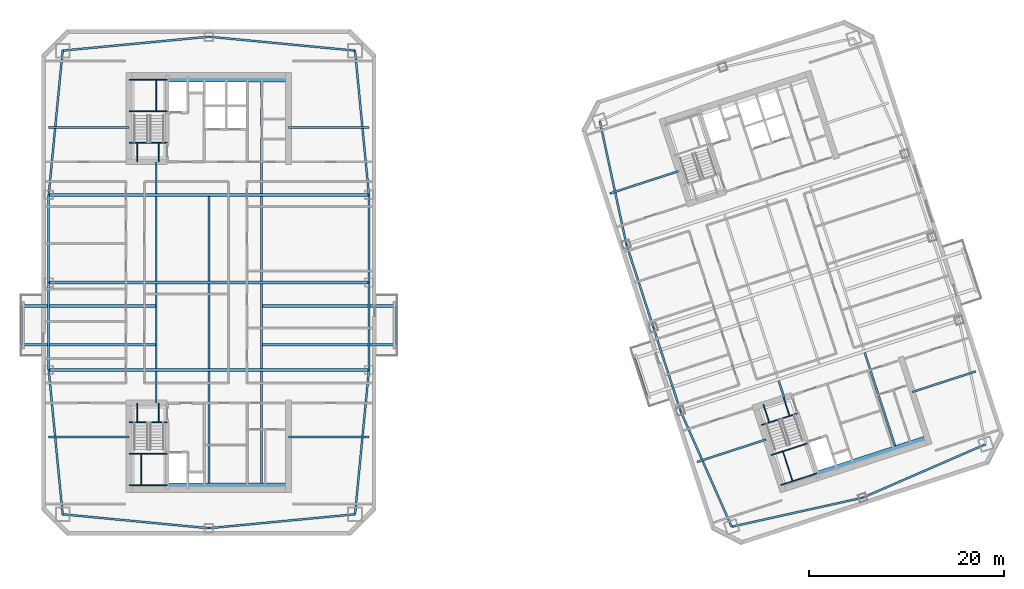
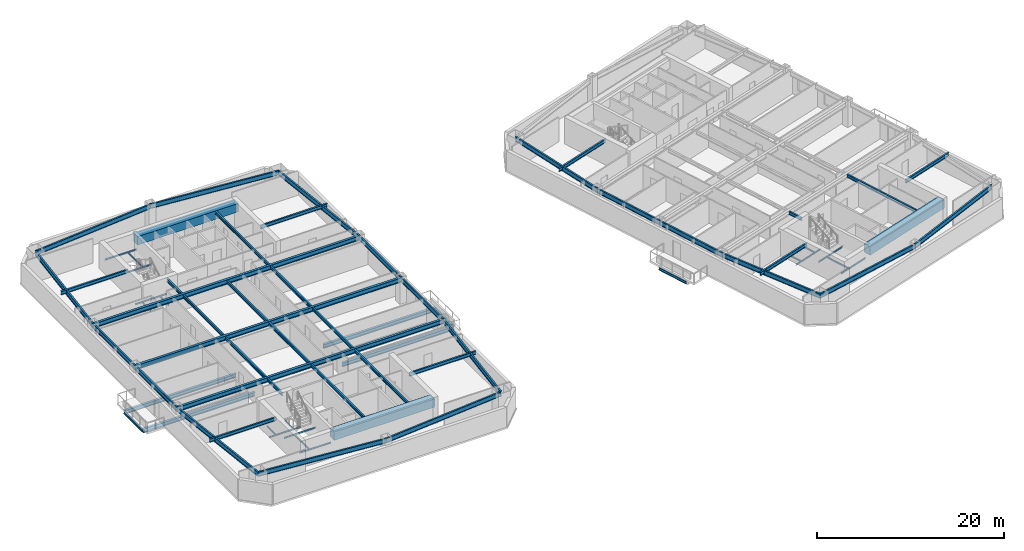
# One storey, part 3 of 15: 69 beams.
"""IFC4 building model written with IfcOpenShell, lengths in metres."""

from ifc_helpers import new_model, si_unit, direction, frame, origin, origin_2d, place, context, subcontext, project, spatial, rectangle, i_section, extrude, material, material_profile, profile_set, type_object, element, save


model = new_model("IFC4")

# Units and contexts
model_context = context("Model", 3, precision=1e-05, world=origin(), true_north=direction((0.0, 1.0)))
body_context = subcontext(model_context, "Body", "Model", "MODEL_VIEW")
ifc_project = project(units=[si_unit("LENGTHUNIT", "METRE"), si_unit("AREAUNIT", "SQUARE_METRE"), si_unit("VOLUMEUNIT", "CUBIC_METRE"), si_unit("PLANEANGLEUNIT", "RADIAN"), si_unit("MASSUNIT", "GRAM", prefix="KILO")], contexts=[model_context])

# Site, building, storey
site_placement = place(None, origin())
site = spatial("IfcSite", under=ifc_project, at=site_placement, CompositionType="ELEMENT")
building_placement = place(site_placement, origin())
building = spatial("IfcBuilding", under=site, at=building_placement, Name="Qiaolan Cultural Towers", CompositionType="ELEMENT")
storey_placement = place(building_placement, frame((0.0, 0.0, 166.75)))
storey = spatial("IfcBuildingStorey", under=building, at=storey_placement, Name="L44", CompositionType="ELEMENT", Elevation=166.75)

# Beams
ifc_material_1 = material(Name="Steel Q355B", Category="steel")
ifc_material_profile_1 = material_profile(ifc_material_1, i_section(OverallWidth=0.300048828125, OverallDepth=0.488037109375, WebThickness=0.010986328125, FlangeThickness=0.01806640625, at=origin_2d()), Name="HM488x300x11x18")
ifc_profile_set_1 = profile_set([ifc_material_profile_1], Name="Steel Q355B")
beam_type_1 = type_object("IfcBeamType", Name="BM-HM488x300x11x18", PredefinedType="BEAM", material=ifc_profile_set_1)
for number, where, z_axis, x_axis, name in (
    (1, (24.60009765625, 27.60009765625, -0.52392578125), (-1.0, 0.0, 0.0), (0.0, -1.0, 0.0), "L44 T1 Tree Balcony Back-Spanned Bracket Beam"),
    (2, (24.60009765625, 31.60009765625, -0.52392578125), (-1.0, 0.0, 0.0), (0.0, -1.0, 0.0), "L44 T1 Tree Balcony Back-Spanned Bracket Beam"),
    (3, (35.39990234375, 27.60009765625, -0.52392578125), (1.0, 0.0, 0.0), (0.0, 1.0, 0.0), "L44 T1 Tree Balcony Back-Spanned Bracket Beam"),
    (4, (35.39990234375, 31.60009765625, -0.52392578125), (1.0, 0.0, 0.0), (0.0, 1.0, 0.0), "L44 T1 Tree Balcony Back-Spanned Bracket Beam"),
):
    element("IfcBeam", number, at=place(storey_placement, frame(where, z_axis=z_axis, x_axis=x_axis)), inside=storey, type_object=beam_type_1, Name=name, PredefinedType="BEAM", context=body_context, shape_type="SweptSolid", body=[
        extrude(i_section(OverallWidth=0.300048828125, OverallDepth=0.488037109375, WebThickness=0.010986328125, FlangeThickness=0.01806640625, at=origin_2d()), origin(), (0.0, 0.0, 1.0), 13.85009765625),
    ])
ifc_material_2 = material(Name="Steel Q355B", Category="steel")
ifc_material_profile_2 = material_profile(ifc_material_2, i_section(OverallWidth=0.300048828125, OverallDepth=0.587890625, WebThickness=0.011962890625, FlangeThickness=0.02001953125, at=origin_2d()), Name="HM588x300x12x20")
ifc_profile_set_2 = profile_set([ifc_material_profile_2], Name="Steel Q355B")
beam_type_2 = type_object("IfcBeamType", Name="BM-HM588x300x12x20", PredefinedType="BEAM", material=ifc_profile_set_2)
for number, where, z_axis, x_axis, name in (
    (5, (13.550048828125, 25.0, 2.89599609375), (1.0, 0.0, 0.0), (0.0, 1.0, 0.0), "L44 T1 Primary Transverse Girder V1"),
    (6, (13.550048828125, 34.0, 2.89599609375), (1.0, 0.0, 0.0), (0.0, 1.0, 0.0), "L44 T1 Primary Transverse Girder V2"),
    (7, (13.550048828125, 43.0, 2.89599609375), (1.0, 0.0, 0.0), (0.0, 1.0, 0.0), "L44 T1 Primary Transverse Girder V3"),
):
    element("IfcBeam", number, at=place(storey_placement, frame(where, z_axis=z_axis, x_axis=x_axis)), inside=storey, type_object=beam_type_2, Name=name, PredefinedType="BEAM", context=body_context, shape_type="SweptSolid", body=[
        extrude(i_section(OverallWidth=0.300048828125, OverallDepth=0.587890625, WebThickness=0.011962890625, FlangeThickness=0.02001953125, at=origin_2d()), origin(), (0.0, 0.0, 1.0), 32.89990234375),
    ])
ifc_material_3 = material(Name="Steel Q355B", Category="steel")
ifc_material_profile_3 = material_profile(ifc_material_3, i_section(OverallWidth=0.175048828125, OverallDepth=0.35009765625, WebThickness=0.007080078125, FlangeThickness=0.010986328125, at=origin_2d()), Name="HN350x175x7x11")
ifc_profile_set_3 = profile_set([ifc_material_profile_3], Name="Steel Q355B")
beam_type_3 = type_object("IfcBeamType", Name="BM-JST-HN350x175x7x11", PredefinedType="JOIST", material=ifc_profile_set_3)
for number, where, z_axis, x_axis, name in (
    (8, (10.75, 27.60009765625, -0.52392578125), (0.0, 1.0, 0.0), (-1.0, 0.0, 0.0), "L44 T1 Tree Balcony Outer Edge Beam"),
    (9, (49.25, 27.60009765625, -0.52392578125), (0.0, 1.0, 0.0), (-1.0, 0.0, 0.0), "L44 T1 Tree Balcony Outer Edge Beam"),
    (10, (75.00146484375, 22.397216796875, -0.52392578125), (-0.309022586479, 0.951054699292, 0.0), (-0.951054699292, -0.309022586479, 0.0), "L44 T2 Tree Balcony Outer Edge Beam"),
):
    element("IfcBeam", number, at=place(storey_placement, frame(where, z_axis=z_axis, x_axis=x_axis)), inside=storey, type_object=beam_type_3, Name=name, PredefinedType="JOIST", context=body_context, shape_type="SweptSolid", body=[
        extrude(i_section(OverallWidth=0.175048828125, OverallDepth=0.35009765625, WebThickness=0.007080078125, FlangeThickness=0.010986328125, at=origin_2d()), origin(), (0.0, 0.0, 1.0), 4.0),
    ])
ifc_material_4 = material(Name="Steel Q355B", Category="steel")
ifc_material_profile_4 = material_profile(ifc_material_4, i_section(OverallWidth=0.199951171875, OverallDepth=0.39990234375, WebThickness=0.008056640625, FlangeThickness=0.012939453125, at=origin_2d()), Name="HN400x200x8x13")
ifc_profile_set_4 = profile_set([ifc_material_profile_4], Name="Steel Q355B")
beam_type_4 = type_object("IfcBeamType", Name="BM-JST-HN400x200x8x13", PredefinedType="JOIST", material=ifc_profile_set_4)
beam_1_placement = place(storey_placement, frame((24.60009765625, 21.60009765625, 2.989990234375), z_axis=(0.0, 1.0, 0.0), x_axis=(-1.0, 0.0, 0.0)))
element("IfcBeam", 11, at=beam_1_placement, inside=storey, type_object=beam_type_4, Name="L44 T1 Secondary Floor Joist U1-1", PredefinedType="JOIST", context=body_context, shape_type="SweptSolid", body=[
    extrude(i_section(OverallWidth=0.199951171875, OverallDepth=0.39990234375, WebThickness=0.008056640625, FlangeThickness=0.012939453125, at=origin_2d()), origin(), (0.0, 0.0, 1.0), 3.25),
])
for number, where, z_axis, x_axis, name in (
    (12, (24.60009765625, 25.14990234375, 2.989990234375), (0.0, 1.0, 0.0), (-1.0, 0.0, 0.0), "L44 T1 Secondary Floor Joist U1-2"),
    (13, (24.60009765625, 34.14990234375, 2.989990234375), (0.0, 1.0, 0.0), (-1.0, 0.0, 0.0), "L44 T1 Secondary Floor Joist U1-3"),
):
    element("IfcBeam", number, at=place(storey_placement, frame(where, z_axis=z_axis, x_axis=x_axis)), inside=storey, type_object=beam_type_4, Name=name, PredefinedType="JOIST", context=body_context, shape_type="SweptSolid", body=[
        extrude(i_section(OverallWidth=0.199951171875, OverallDepth=0.39990234375, WebThickness=0.008056640625, FlangeThickness=0.012939453125, at=origin_2d()), origin(), (0.0, 0.0, 1.0), 8.7001953125),
    ])
beam_2_placement = place(storey_placement, frame((24.60009765625, 43.14990234375, 2.989990234375), z_axis=(0.0, 1.0, 0.0), x_axis=(-1.0, 0.0, 0.0)))
element("IfcBeam", 14, at=beam_2_placement, inside=storey, type_object=beam_type_4, Name="L44 T1 Secondary Floor Joist U1-4", PredefinedType="JOIST", context=body_context, shape_type="SweptSolid", body=[
    extrude(i_section(OverallWidth=0.199951171875, OverallDepth=0.39990234375, WebThickness=0.008056640625, FlangeThickness=0.012939453125, at=origin_2d()), origin(), (0.0, 0.0, 1.0), 3.25),
])
beam_3_placement = place(storey_placement, frame((30.0, 13.39990234375, 2.989990234375), z_axis=(0.0, 1.0, 0.0), x_axis=(-1.0, 0.0, 0.0)))
element("IfcBeam", 15, at=beam_3_placement, inside=storey, type_object=beam_type_4, Name="L44 T1 Secondary Floor Joist U2-1", PredefinedType="JOIST", context=body_context, shape_type="SweptSolid", body=[
    extrude(i_section(OverallWidth=0.199951171875, OverallDepth=0.39990234375, WebThickness=0.008056640625, FlangeThickness=0.012939453125, at=origin_2d()), origin(), (0.0, 0.0, 1.0), 11.4501953125),
])
for number, where, z_axis, x_axis, name in (
    (16, (30.0, 25.14990234375, 2.989990234375), (0.0, 1.0, 0.0), (-1.0, 0.0, 0.0), "L44 T1 Secondary Floor Joist U2-2"),
    (17, (30.0, 34.14990234375, 2.989990234375), (0.0, 1.0, 0.0), (-1.0, 0.0, 0.0), "L44 T1 Secondary Floor Joist U2-3"),
):
    element("IfcBeam", number, at=place(storey_placement, frame(where, z_axis=z_axis, x_axis=x_axis)), inside=storey, type_object=beam_type_4, Name=name, PredefinedType="JOIST", context=body_context, shape_type="SweptSolid", body=[
        extrude(i_section(OverallWidth=0.199951171875, OverallDepth=0.39990234375, WebThickness=0.008056640625, FlangeThickness=0.012939453125, at=origin_2d()), origin(), (0.0, 0.0, 1.0), 8.7001953125),
    ])
beam_4_placement = place(storey_placement, frame((35.39990234375, 13.39990234375, 2.989990234375), z_axis=(0.0, 1.0, 0.0), x_axis=(-1.0, 0.0, 0.0)))
element("IfcBeam", 18, at=beam_4_placement, inside=storey, type_object=beam_type_4, Name="L44 T1 Secondary Floor Joist U3-1", PredefinedType="JOIST", context=body_context, shape_type="SweptSolid", body=[
    extrude(i_section(OverallWidth=0.199951171875, OverallDepth=0.39990234375, WebThickness=0.008056640625, FlangeThickness=0.012939453125, at=origin_2d()), origin(), (0.0, 0.0, 1.0), 11.4501953125),
])
for number, where, z_axis, x_axis, name in (
    (19, (35.39990234375, 25.14990234375, 2.989990234375), (0.0, 1.0, 0.0), (-1.0, 0.0, 0.0), "L44 T1 Secondary Floor Joist U3-2"),
    (20, (35.39990234375, 34.14990234375, 2.989990234375), (0.0, 1.0, 0.0), (-1.0, 0.0, 0.0), "L44 T1 Secondary Floor Joist U3-3"),
):
    element("IfcBeam", number, at=place(storey_placement, frame(where, z_axis=z_axis, x_axis=x_axis)), inside=storey, type_object=beam_type_4, Name=name, PredefinedType="JOIST", context=body_context, shape_type="SweptSolid", body=[
        extrude(i_section(OverallWidth=0.199951171875, OverallDepth=0.39990234375, WebThickness=0.008056640625, FlangeThickness=0.012939453125, at=origin_2d()), origin(), (0.0, 0.0, 1.0), 8.7001953125),
    ])
beam_5_placement = place(storey_placement, frame((35.39990234375, 43.14990234375, 2.989990234375), z_axis=(0.0, 1.0, 0.0), x_axis=(-1.0, 0.0, 0.0)))
element("IfcBeam", 21, at=beam_5_placement, inside=storey, type_object=beam_type_4, Name="L44 T1 Secondary Floor Joist U3-4", PredefinedType="JOIST", context=body_context, shape_type="SweptSolid", body=[
    extrude(i_section(OverallWidth=0.199951171875, OverallDepth=0.39990234375, WebThickness=0.008056640625, FlangeThickness=0.012939453125, at=origin_2d()), origin(), (0.0, 0.0, 1.0), 11.4501953125),
])
beam_6_placement = place(storey_placement, frame((89.119384765625, 22.147705078125, 2.989990234375), z_axis=(-0.308933885266, 0.951083516067, 0.0), x_axis=(-0.951083516067, -0.308933885266, 0.0)))
element("IfcBeam", 22, at=beam_6_placement, inside=storey, type_object=beam_type_4, Name="L44 T2 Secondary Floor Joist U1-1", PredefinedType="JOIST", context=body_context, shape_type="SweptSolid", body=[
    extrude(i_section(OverallWidth=0.199951171875, OverallDepth=0.39990234375, WebThickness=0.008056640625, FlangeThickness=0.012939453125, at=origin_2d()), origin(), (0.0, 0.0, 1.0), 1.85009765625),
])
beam_7_placement = place(storey_placement, frame((100.498291015625, 17.222900390625, 2.989990234375), z_axis=(-0.309025649293, 0.951053704098, 0.0), x_axis=(-0.951053704098, -0.309025649293, 0.0)))
element("IfcBeam", 23, at=beam_7_placement, inside=storey, type_object=beam_type_4, Name="L44 T2 Secondary Floor Joist U3-1", PredefinedType="JOIST", context=body_context, shape_type="SweptSolid", body=[
    extrude(i_section(OverallWidth=0.199951171875, OverallDepth=0.39990234375, WebThickness=0.008056640625, FlangeThickness=0.012939453125, at=origin_2d()), origin(), (0.0, 0.0, 1.0), 10.050048828125),
])
ifc_material_5 = material(Name="Steel Q355B", Category="steel")
ifc_material_profile_5 = material_profile(ifc_material_5, i_section(OverallWidth=0.199951171875, OverallDepth=0.449951171875, WebThickness=0.009033203125, FlangeThickness=0.013916015625, at=origin_2d()), Name="HN450x200x9x14")
ifc_profile_set_5 = profile_set([ifc_material_profile_5], Name="Steel Q355B")
beam_type_5 = type_object("IfcBeamType", Name="BM-LNT-HN450x200x9x14", PredefinedType="LINTEL", material=ifc_profile_set_5)
for number, where, z_axis, x_axis, name in (
    (24, (21.800048828125, 18.10009765625, 2.965087890625), (-1.0, 0.0, 0.0), (0.0, -1.0, 0.0), "L44 T1 Core Flank Tie Lintel WS"),
    (25, (21.800048828125, 49.89990234375, 2.965087890625), (-1.0, 0.0, 0.0), (0.0, -1.0, 0.0), "L44 T1 Core Flank Tie Lintel WN"),
    (26, (38.199951171875, 18.10009765625, 2.965087890625), (1.0, 0.0, 0.0), (0.0, 1.0, 0.0), "L44 T1 Core Flank Tie Lintel ES"),
    (27, (38.199951171875, 49.89990234375, 2.965087890625), (1.0, 0.0, 0.0), (0.0, 1.0, 0.0), "L44 T1 Core Flank Tie Lintel EN"),
):
    element("IfcBeam", number, at=place(storey_placement, frame(where, z_axis=z_axis, x_axis=x_axis)), inside=storey, type_object=beam_type_5, Name=name, PredefinedType="LINTEL", context=body_context, shape_type="SweptSolid", body=[
        extrude(i_section(OverallWidth=0.199951171875, OverallDepth=0.449951171875, WebThickness=0.009033203125, FlangeThickness=0.013916015625, at=origin_2d()), origin(), (0.0, 0.0, 1.0), 8.25),
    ])
beam_8_placement = place(storey_placement, frame((87.252685546875, 17.861083984375, 2.965087890625), z_axis=(-0.951064407856, -0.308992705592, 0.0), x_axis=(0.308992705592, -0.951064407856, 0.0)))
element("IfcBeam", 28, at=beam_8_placement, inside=storey, type_object=beam_type_5, Name="L44 T2 Core Flank Tie Lintel WS", PredefinedType="LINTEL", context=body_context, shape_type="SweptSolid", body=[
    extrude(i_section(OverallWidth=0.199951171875, OverallDepth=0.449951171875, WebThickness=0.009033203125, FlangeThickness=0.013916015625, at=origin_2d()), origin(), (0.0, 0.0, 1.0), 7.449951171875),
])
beam_9_placement = place(storey_placement, frame((78.291259765625, 45.44189453125, 2.965087890625), z_axis=(-0.951054777171, -0.309022346796, 0.0), x_axis=(0.309022346796, -0.951054777171, 0.0)))
element("IfcBeam", 29, at=beam_9_placement, inside=storey, type_object=beam_type_5, Name="L44 T2 Core Flank Tie Lintel WN", PredefinedType="LINTEL", context=body_context, shape_type="SweptSolid", body=[
    extrude(i_section(OverallWidth=0.199951171875, OverallDepth=0.449951171875, WebThickness=0.009033203125, FlangeThickness=0.013916015625, at=origin_2d()), origin(), (0.0, 0.0, 1.0), 7.4501953125),
])
beam_10_placement = place(storey_placement, frame((102.279296875, 22.74365234375, 2.965087890625), z_axis=(0.951061565824, 0.30900145309, 0.0), x_axis=(-0.30900145309, 0.951061565824, 0.0)))
element("IfcBeam", 30, at=beam_10_placement, inside=storey, type_object=beam_type_5, Name="L44 T2 Core Flank Tie Lintel ES", PredefinedType="LINTEL", context=body_context, shape_type="SweptSolid", body=[
    extrude(i_section(OverallWidth=0.199951171875, OverallDepth=0.449951171875, WebThickness=0.009033203125, FlangeThickness=0.013916015625, at=origin_2d()), origin(), (0.0, 0.0, 1.0), 6.85009765625),
])
ifc_material_6 = material(Name="Concrete C50", Category="concrete")
ifc_material_profile_6 = material_profile(ifc_material_6, rectangle(XDim=0.89990234375, YDim=1.10009765625, at=origin_2d()), Name="RC900x1100")
ifc_profile_set_6 = profile_set([ifc_material_profile_6], Name="Concrete C50")
beam_type_6 = type_object("IfcBeamType", Name="BM-RC900x1100", PredefinedType="BEAM", material=ifc_profile_set_6)
for number, where, z_axis, x_axis, name in (
    (31, (25.719970703125, 12.949951171875, 2.639892578125), (1.0, 0.0, 0.0), (0.0, 1.0, 0.0), "L44 T1 Core Header Girder S"),
    (32, (25.719970703125, 55.050048828125, 2.639892578125), (1.0, 0.0, 0.0), (0.0, 1.0, 0.0), "L44 T1 Core Header Girder N"),
):
    element("IfcBeam", number, at=place(storey_placement, frame(where, z_axis=z_axis, x_axis=x_axis)), inside=storey, type_object=beam_type_6, Name=name, PredefinedType="BEAM", context=body_context, shape_type="SweptSolid", body=[
        extrude(rectangle(XDim=0.89990234375, YDim=1.10009765625, at=origin_2d()), origin(), (0.0, 0.0, 1.0), 12.47998046875),
    ])
beam_11_placement = place(storey_placement, frame((92.572265625, 14.174560546875, 2.639892578125), z_axis=(0.951056266386, 0.309017763514, 0.0), x_axis=(-0.309017763514, 0.951056266386, 0.0)))
element("IfcBeam", 33, at=beam_11_placement, inside=storey, type_object=beam_type_6, Name="L44 T2 Core Header Girder S", PredefinedType="BEAM", context=body_context, shape_type="SweptSolid", body=[
    extrude(rectangle(XDim=0.89990234375, YDim=1.10009765625, at=origin_2d()), origin(), (0.0, 0.0, 1.0), 11.880126953125),
])
ifc_material_7 = material(Name="Steel Q355B", Category="steel")
ifc_material_profile_7 = material_profile(ifc_material_7, i_section(OverallWidth=0.199951171875, OverallDepth=0.60009765625, WebThickness=0.010986328125, FlangeThickness=0.01708984375, at=origin_2d()), Name="HN600x200x11x17")
ifc_profile_set_7 = profile_set([ifc_material_profile_7], Name="Steel Q355B")
beam_type_7 = type_object("IfcBeamType", Name="BM-SPD-HN600x200x11x17", PredefinedType="SPANDREL", material=ifc_profile_set_7)
for number, where, z_axis, x_axis, name in (
    (34, (14.97998046875, 10.179931640625, 2.889892578125), (0.995498889995, -0.094773203061, 0.0), (0.094773203061, 0.995498889995, 0.0), "L44 T1 Perimeter Spandrel Beam 1"),
    (35, (30.0, 8.75, 2.889892578125), (0.995498889995, 0.094773203061, 0.0), (-0.094773203061, 0.995498889995, 0.0), "L44 T1 Perimeter Spandrel Beam 2"),
):
    element("IfcBeam", number, at=place(storey_placement, frame(where, z_axis=z_axis, x_axis=x_axis)), inside=storey, type_object=beam_type_7, Name=name, PredefinedType="SPANDREL", context=body_context, shape_type="SweptSolid", body=[
        extrude(i_section(OverallWidth=0.199951171875, OverallDepth=0.60009765625, WebThickness=0.010986328125, FlangeThickness=0.01708984375, at=origin_2d()), origin(), (0.0, 0.0, 1.0), 15.087890625),
    ])
beam_12_placement = place(storey_placement, frame((45.02001953125, 10.179931640625, 2.889892578125), z_axis=(0.096040159186, 0.995377459974, 0.0), x_axis=(-0.995377459974, 0.096040159186, 0.0)))
element("IfcBeam", 36, at=beam_12_placement, inside=storey, type_object=beam_type_7, Name="L44 T1 Perimeter Spandrel Beam 3", PredefinedType="SPANDREL", context=body_context, shape_type="SweptSolid", body=[
    extrude(i_section(OverallWidth=0.199951171875, OverallDepth=0.60009765625, WebThickness=0.010986328125, FlangeThickness=0.01708984375, at=origin_2d()), origin(), (0.0, 0.0, 1.0), 14.888916015625),
])
for number, where, z_axis, x_axis, name in (
    (37, (46.449951171875, 25.0, 2.889892578125), (0.0, 1.0, 0.0), (-1.0, 0.0, 0.0), "L44 T1 Perimeter Spandrel Beam 4"),
    (38, (46.449951171875, 34.0, 2.889892578125), (0.0, 1.0, 0.0), (-1.0, 0.0, 0.0), "L44 T1 Perimeter Spandrel Beam 5"),
):
    element("IfcBeam", number, at=place(storey_placement, frame(where, z_axis=z_axis, x_axis=x_axis)), inside=storey, type_object=beam_type_7, Name=name, PredefinedType="SPANDREL", context=body_context, shape_type="SweptSolid", body=[
        extrude(i_section(OverallWidth=0.199951171875, OverallDepth=0.60009765625, WebThickness=0.010986328125, FlangeThickness=0.01708984375, at=origin_2d()), origin(), (0.0, 0.0, 1.0), 9.0),
    ])
beam_13_placement = place(storey_placement, frame((46.449951171875, 43.0, 2.889892578125), z_axis=(-0.096040159186, 0.995377459974, 0.0), x_axis=(-0.995377459974, -0.096040159186, 0.0)))
element("IfcBeam", 39, at=beam_13_placement, inside=storey, type_object=beam_type_7, Name="L44 T1 Perimeter Spandrel Beam 6", PredefinedType="SPANDREL", context=body_context, shape_type="SweptSolid", body=[
    extrude(i_section(OverallWidth=0.199951171875, OverallDepth=0.60009765625, WebThickness=0.010986328125, FlangeThickness=0.01708984375, at=origin_2d()), origin(), (0.0, 0.0, 1.0), 14.888916015625),
])
for number, where, z_axis, x_axis, name in (
    (40, (45.02001953125, 57.820068359375, 2.889892578125), (-0.995498889995, 0.094773203061, 0.0), (-0.094773203061, -0.995498889995, 0.0), "L44 T1 Perimeter Spandrel Beam 7"),
    (41, (30.0, 59.25, 2.889892578125), (-0.995498889995, -0.094773203061, 0.0), (0.094773203061, -0.995498889995, 0.0), "L44 T1 Perimeter Spandrel Beam 8"),
):
    element("IfcBeam", number, at=place(storey_placement, frame(where, z_axis=z_axis, x_axis=x_axis)), inside=storey, type_object=beam_type_7, Name=name, PredefinedType="SPANDREL", context=body_context, shape_type="SweptSolid", body=[
        extrude(i_section(OverallWidth=0.199951171875, OverallDepth=0.60009765625, WebThickness=0.010986328125, FlangeThickness=0.01708984375, at=origin_2d()), origin(), (0.0, 0.0, 1.0), 15.087890625),
    ])
beam_14_placement = place(storey_placement, frame((14.97998046875, 57.820068359375, 2.889892578125), z_axis=(-0.096040159186, -0.995377459974, 0.0), x_axis=(0.995377459974, -0.096040159186, 0.0)))
element("IfcBeam", 42, at=beam_14_placement, inside=storey, type_object=beam_type_7, Name="L44 T1 Perimeter Spandrel Beam 9", PredefinedType="SPANDREL", context=body_context, shape_type="SweptSolid", body=[
    extrude(i_section(OverallWidth=0.199951171875, OverallDepth=0.60009765625, WebThickness=0.010986328125, FlangeThickness=0.01708984375, at=origin_2d()), origin(), (0.0, 0.0, 1.0), 14.888916015625),
])
for number, where, z_axis, x_axis, name in (
    (43, (13.550048828125, 43.0, 2.889892578125), (0.0, -1.0, 0.0), (1.0, 0.0, 0.0), "L44 T1 Perimeter Spandrel Beam 10"),
    (44, (13.550048828125, 34.0, 2.889892578125), (0.0, -1.0, 0.0), (1.0, 0.0, 0.0), "L44 T1 Perimeter Spandrel Beam 11"),
):
    element("IfcBeam", number, at=place(storey_placement, frame(where, z_axis=z_axis, x_axis=x_axis)), inside=storey, type_object=beam_type_7, Name=name, PredefinedType="SPANDREL", context=body_context, shape_type="SweptSolid", body=[
        extrude(i_section(OverallWidth=0.199951171875, OverallDepth=0.60009765625, WebThickness=0.010986328125, FlangeThickness=0.01708984375, at=origin_2d()), origin(), (0.0, 0.0, 1.0), 9.0),
    ])
beam_15_placement = place(storey_placement, frame((13.550048828125, 25.0, 2.889892578125), z_axis=(0.096040159186, -0.995377459974, 0.0), x_axis=(0.995377459974, 0.096040159186, 0.0)))
element("IfcBeam", 45, at=beam_15_placement, inside=storey, type_object=beam_type_7, Name="L44 T1 Perimeter Spandrel Beam 12", PredefinedType="SPANDREL", context=body_context, shape_type="SweptSolid", body=[
    extrude(i_section(OverallWidth=0.199951171875, OverallDepth=0.60009765625, WebThickness=0.010986328125, FlangeThickness=0.01708984375, at=origin_2d()), origin(), (0.0, 0.0, 1.0), 14.888916015625),
])
beam_16_placement = place(storey_placement, frame((83.71875, 8.900634765625, 2.889892578125), z_axis=(0.976265293399, 0.216578108094, 0.0), x_axis=(-0.216578108094, 0.976265293399, 0.0)))
element("IfcBeam", 46, at=beam_16_placement, inside=storey, type_object=beam_type_7, Name="L44 T2 Perimeter Spandrel Beam 1", PredefinedType="SPANDREL", context=body_context, shape_type="SweptSolid", body=[
    extrude(i_section(OverallWidth=0.199951171875, OverallDepth=0.60009765625, WebThickness=0.010986328125, FlangeThickness=0.01708984375, at=origin_2d()), origin(), (0.0, 0.0, 1.0), 13.793212890625),
])
beam_17_placement = place(storey_placement, frame((97.1845703125, 11.887939453125, 2.889892578125), z_axis=(0.917117043091, 0.398618024268, 0.0), x_axis=(-0.398618024268, 0.917117043091, 0.0)))
element("IfcBeam", 47, at=beam_17_placement, inside=storey, type_object=beam_type_7, Name="L44 T2 Perimeter Spandrel Beam 2", PredefinedType="SPANDREL", context=body_context, shape_type="SweptSolid", body=[
    extrude(i_section(OverallWidth=0.199951171875, OverallDepth=0.60009765625, WebThickness=0.010986328125, FlangeThickness=0.01708984375, at=origin_2d()), origin(), (0.0, 0.0, 1.0), 13.79345703125),
])
beam_18_placement = place(storey_placement, frame((70.165283203125, 50.61376953125, 2.889892578125), z_axis=(0.210832241173, -0.977522258612, 0.0), x_axis=(0.977522258612, 0.210832241173, 0.0)))
element("IfcBeam", 48, at=beam_18_placement, inside=storey, type_object=beam_type_7, Name="L44 T2 Perimeter Spandrel Beam 9", PredefinedType="SPANDREL", context=body_context, shape_type="SweptSolid", body=[
    extrude(i_section(OverallWidth=0.199951171875, OverallDepth=0.60009765625, WebThickness=0.010986328125, FlangeThickness=0.01708984375, at=origin_2d()), origin(), (0.0, 0.0, 1.0), 12.997314453125),
])
beam_19_placement = place(storey_placement, frame((72.905517578125, 37.90869140625, 2.889892578125), z_axis=(0.309008170129, -0.951059383421, 0.0), x_axis=(0.951059383421, 0.309008170129, 0.0)))
element("IfcBeam", 49, at=beam_19_placement, inside=storey, type_object=beam_type_7, Name="L44 T2 Perimeter Spandrel Beam 10", PredefinedType="SPANDREL", context=body_context, shape_type="SweptSolid", body=[
    extrude(i_section(OverallWidth=0.199951171875, OverallDepth=0.60009765625, WebThickness=0.010986328125, FlangeThickness=0.01708984375, at=origin_2d()), origin(), (0.0, 0.0, 1.0), 8.999755859375),
])
beam_20_placement = place(storey_placement, frame((75.6865234375, 29.349365234375, 2.889892578125), z_axis=(0.309024734286, -0.951054001411, 0.0), x_axis=(0.951054001411, 0.309024734286, 0.0)))
element("IfcBeam", 50, at=beam_20_placement, inside=storey, type_object=beam_type_7, Name="L44 T2 Perimeter Spandrel Beam 11", PredefinedType="SPANDREL", context=body_context, shape_type="SweptSolid", body=[
    extrude(i_section(OverallWidth=0.199951171875, OverallDepth=0.60009765625, WebThickness=0.010986328125, FlangeThickness=0.01708984375, at=origin_2d()), origin(), (0.0, 0.0, 1.0), 9.0),
])
beam_21_placement = place(storey_placement, frame((78.4677734375, 20.789794921875, 2.889892578125), z_axis=(0.404011070002, -0.914754095545, 0.0), x_axis=(0.914754095545, 0.404011070002, 0.0)))
element("IfcBeam", 51, at=beam_21_placement, inside=storey, type_object=beam_type_7, Name="L44 T2 Perimeter Spandrel Beam 12", PredefinedType="SPANDREL", context=body_context, shape_type="SweptSolid", body=[
    extrude(i_section(OverallWidth=0.199951171875, OverallDepth=0.60009765625, WebThickness=0.010986328125, FlangeThickness=0.01708984375, at=origin_2d()), origin(), (0.0, 0.0, 1.0), 12.9970703125),
])
ifc_material_8 = material(Name="Steel Q355B", Category="steel")
ifc_material_profile_8 = material_profile(ifc_material_8, i_section(OverallWidth=0.10009765625, OverallDepth=0.199951171875, WebThickness=0.005615234375, FlangeThickness=0.008056640625, at=origin_2d()), Name="HN200x100x5.5x8")
ifc_profile_set_8 = profile_set([ifc_material_profile_8], Name="Steel Q355B")
beam_type_8 = type_object("IfcBeamType", Name="BM-STTRIM-200", PredefinedType="BEAM", material=ifc_profile_set_8)
beam_22_placement = place(storey_placement, frame((21.800048828125, 19.659912109375, -0.4599609375), z_axis=(1.0, 0.0, 0.0), x_axis=(0.0, 1.0, 0.0)))
element("IfcBeam", 52, at=beam_22_placement, inside=storey, type_object=beam_type_8, Name="L44 ST-W1 Floor Landing Header Beam", PredefinedType="BEAM", context=body_context, shape_type="SweptSolid", body=[
    extrude(i_section(OverallWidth=0.10009765625, OverallDepth=0.199951171875, WebThickness=0.005615234375, FlangeThickness=0.008056640625, at=origin_2d()), origin(), (0.0, 0.0, 1.0), 3.919921875),
])
for number, where, z_axis, x_axis, name in (
    (53, (22.64990234375, 21.60009765625, -0.4599609375), (0.0, -1.0, 0.0), (1.0, 0.0, 0.0), "L44 ST-W1 Floor Landing Stringer 1"),
    (54, (24.85009765625, 21.60009765625, -0.4599609375), (0.0, -1.0, 0.0), (1.0, 0.0, 0.0), "L44 ST-W1 Floor Landing Stringer 2"),
):
    element("IfcBeam", number, at=place(storey_placement, frame(where, z_axis=z_axis, x_axis=x_axis)), inside=storey, type_object=beam_type_8, Name=name, PredefinedType="BEAM", context=body_context, shape_type="SweptSolid", body=[
        extrude(i_section(OverallWidth=0.10009765625, OverallDepth=0.199951171875, WebThickness=0.005615234375, FlangeThickness=0.008056640625, at=origin_2d()), origin(), (0.0, 0.0, 1.0), 1.940185546875),
    ])
for number, where, z_axis, x_axis, name in (
    (55, (21.800048828125, 16.411376953125, 1.425048828125), (1.0, 0.0, 0.0), (0.0, 1.0, 0.0), "L44 ST-W1 Stair Landing Support Beam 1-1"),
    (56, (21.800048828125, 13.179931640625, 1.425048828125), (1.0, 0.0, 0.0), (0.0, 1.0, 0.0), "L44 ST-W1 Stair Landing Support Beam 1-2"),
):
    element("IfcBeam", number, at=place(storey_placement, frame(where, z_axis=z_axis, x_axis=x_axis)), inside=storey, type_object=beam_type_8, Name=name, PredefinedType="BEAM", context=body_context, shape_type="SweptSolid", body=[
        extrude(i_section(OverallWidth=0.10009765625, OverallDepth=0.199951171875, WebThickness=0.005615234375, FlangeThickness=0.008056640625, at=origin_2d()), origin(), (0.0, 0.0, 1.0), 3.919921875),
    ])
beam_23_placement = place(storey_placement, frame((23.070068359375, 16.411376953125, 1.425048828125), z_axis=(0.0, -1.0, 0.0), x_axis=(1.0, 0.0, 0.0)))
element("IfcBeam", 57, at=beam_23_placement, inside=storey, type_object=beam_type_8, Name="L44 ST-W1 Stair Landing Trimmer 1", PredefinedType="BEAM", context=body_context, shape_type="SweptSolid", body=[
    extrude(i_section(OverallWidth=0.10009765625, OverallDepth=0.199951171875, WebThickness=0.005615234375, FlangeThickness=0.008056640625, at=origin_2d()), origin(), (0.0, 0.0, 1.0), 3.2314453125),
])
beam_24_placement = place(storey_placement, frame((21.800048828125, 48.340087890625, -0.4599609375), z_axis=(1.0, 0.0, 0.0), x_axis=(0.0, 1.0, 0.0)))
element("IfcBeam", 58, at=beam_24_placement, inside=storey, type_object=beam_type_8, Name="L44 ST-W2 Floor Landing Header Beam", PredefinedType="BEAM", context=body_context, shape_type="SweptSolid", body=[
    extrude(i_section(OverallWidth=0.10009765625, OverallDepth=0.199951171875, WebThickness=0.005615234375, FlangeThickness=0.008056640625, at=origin_2d()), origin(), (0.0, 0.0, 1.0), 3.919921875),
])
for number, where, z_axis, x_axis, name in (
    (59, (22.64990234375, 46.39990234375, -0.4599609375), (0.0, 1.0, 0.0), (-1.0, 0.0, 0.0), "L44 ST-W2 Floor Landing Stringer 1"),
    (60, (24.85009765625, 46.39990234375, -0.4599609375), (0.0, 1.0, 0.0), (-1.0, 0.0, 0.0), "L44 ST-W2 Floor Landing Stringer 2"),
):
    element("IfcBeam", number, at=place(storey_placement, frame(where, z_axis=z_axis, x_axis=x_axis)), inside=storey, type_object=beam_type_8, Name=name, PredefinedType="BEAM", context=body_context, shape_type="SweptSolid", body=[
        extrude(i_section(OverallWidth=0.10009765625, OverallDepth=0.199951171875, WebThickness=0.005615234375, FlangeThickness=0.008056640625, at=origin_2d()), origin(), (0.0, 0.0, 1.0), 1.940185546875),
    ])
for number, where, z_axis, x_axis, name in (
    (61, (21.800048828125, 51.588623046875, 1.425048828125), (1.0, 0.0, 0.0), (0.0, 1.0, 0.0), "L44 ST-W2 Stair Landing Support Beam 1-1"),
    (62, (21.800048828125, 54.820068359375, 1.425048828125), (1.0, 0.0, 0.0), (0.0, 1.0, 0.0), "L44 ST-W2 Stair Landing Support Beam 1-2"),
):
    element("IfcBeam", number, at=place(storey_placement, frame(where, z_axis=z_axis, x_axis=x_axis)), inside=storey, type_object=beam_type_8, Name=name, PredefinedType="BEAM", context=body_context, shape_type="SweptSolid", body=[
        extrude(i_section(OverallWidth=0.10009765625, OverallDepth=0.199951171875, WebThickness=0.005615234375, FlangeThickness=0.008056640625, at=origin_2d()), origin(), (0.0, 0.0, 1.0), 3.919921875),
    ])
beam_25_placement = place(storey_placement, frame((24.610107421875, 51.588623046875, 1.425048828125), z_axis=(0.0, 1.0, 0.0), x_axis=(-1.0, 0.0, 0.0)))
element("IfcBeam", 63, at=beam_25_placement, inside=storey, type_object=beam_type_8, Name="L44 ST-W2 Stair Landing Trimmer 1", PredefinedType="BEAM", context=body_context, shape_type="SweptSolid", body=[
    extrude(i_section(OverallWidth=0.10009765625, OverallDepth=0.199951171875, WebThickness=0.005615234375, FlangeThickness=0.008056640625, at=origin_2d()), origin(), (0.0, 0.0, 1.0), 3.2314453125),
])
beam_26_placement = place(storey_placement, frame((86.770751953125, 19.3447265625, -0.4599609375), z_axis=(0.951047798727, 0.309043823005, 0.0), x_axis=(-0.309043823005, 0.951047798727, 0.0)))
element("IfcBeam", 64, at=beam_26_placement, inside=storey, type_object=beam_type_8, Name="L44 ST-E1 Floor Landing Header Beam", PredefinedType="BEAM", context=body_context, shape_type="SweptSolid", body=[
    extrude(i_section(OverallWidth=0.10009765625, OverallDepth=0.199951171875, WebThickness=0.005615234375, FlangeThickness=0.008056640625, at=origin_2d()), origin(), (0.0, 0.0, 1.0), 3.919921875),
])
for number, where, z_axis, x_axis, name in (
    (65, (86.9794921875, 21.452392578125, -0.4599609375), (0.309083226701, -0.951034993558, 0.0), (0.951034993558, 0.309083226701, 0.0), "L44 ST-E1 Floor Landing Stringer 1"),
    (66, (89.07177734375, 22.13232421875, -0.4599609375), (0.309083226701, -0.951034993558, 0.0), (0.951034993558, 0.309083226701, 0.0), "L44 ST-E1 Floor Landing Stringer 2"),
):
    element("IfcBeam", number, at=place(storey_placement, frame(where, z_axis=z_axis, x_axis=x_axis)), inside=storey, type_object=beam_type_8, Name=name, PredefinedType="BEAM", context=body_context, shape_type="SweptSolid", body=[
        extrude(i_section(OverallWidth=0.10009765625, OverallDepth=0.199951171875, WebThickness=0.005615234375, FlangeThickness=0.008056640625, at=origin_2d()), origin(), (0.0, 0.0, 1.0), 1.93994140625),
    ])
for number, where, z_axis, x_axis, name in (
    (67, (87.774658203125, 16.255126953125, 1.425048828125), (0.951047798727, 0.309043823005, 0.0), (-0.309043823005, 0.951047798727, 0.0), "L44 ST-E1 Stair Landing Support Beam 1-1"),
    (68, (88.773193359375, 13.181884765625, 1.425048828125), (0.951047798727, 0.309043823005, 0.0), (-0.309043823005, 0.951047798727, 0.0), "L44 ST-E1 Stair Landing Support Beam 1-2"),
):
    element("IfcBeam", number, at=place(storey_placement, frame(where, z_axis=z_axis, x_axis=x_axis)), inside=storey, type_object=beam_type_8, Name=name, PredefinedType="BEAM", context=body_context, shape_type="SweptSolid", body=[
        extrude(i_section(OverallWidth=0.10009765625, OverallDepth=0.199951171875, WebThickness=0.005615234375, FlangeThickness=0.008056640625, at=origin_2d()), origin(), (0.0, 0.0, 1.0), 3.919921875),
    ])
beam_27_placement = place(storey_placement, frame((88.982421875, 16.6474609375, 1.425048828125), z_axis=(0.309033108495, -0.951051280349, 0.0), x_axis=(0.951051280349, 0.309033108495, 0.0)))
element("IfcBeam", 69, at=beam_27_placement, inside=storey, type_object=beam_type_8, Name="L44 ST-E1 Stair Landing Trimmer 1", PredefinedType="BEAM", context=body_context, shape_type="SweptSolid", body=[
    extrude(i_section(OverallWidth=0.10009765625, OverallDepth=0.199951171875, WebThickness=0.005615234375, FlangeThickness=0.008056640625, at=origin_2d()), origin(), (0.0, 0.0, 1.0), 3.231201171875),
])

save(model, "model.ifc")
